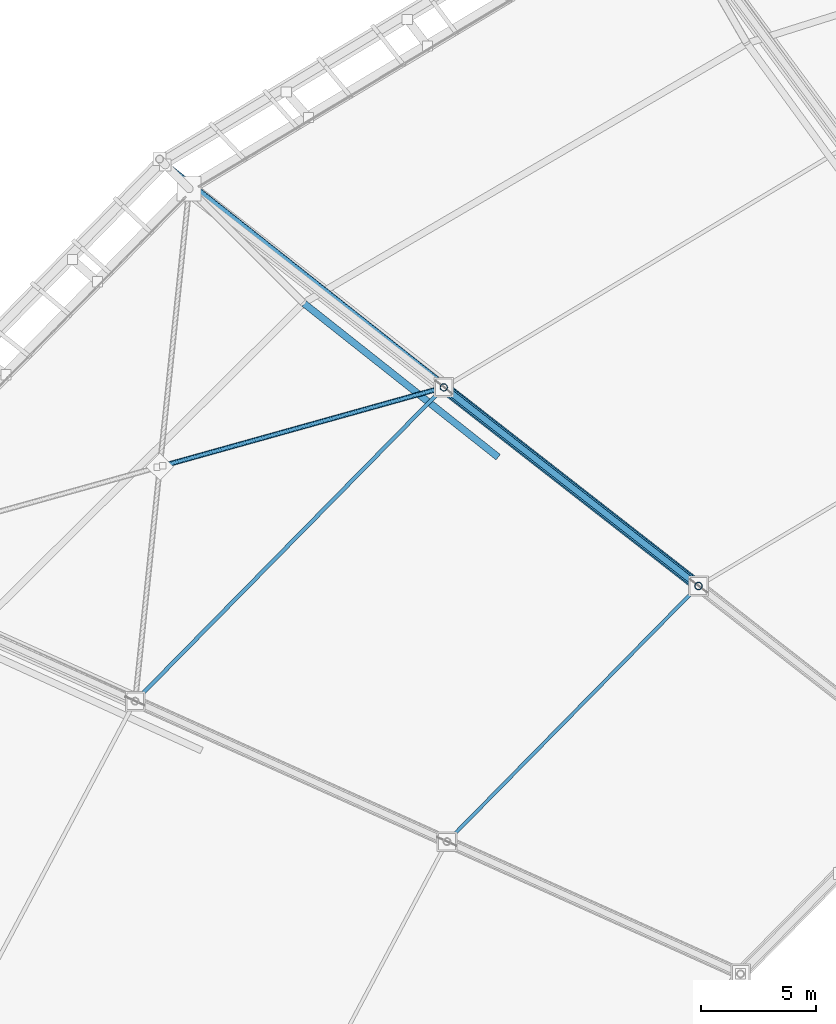
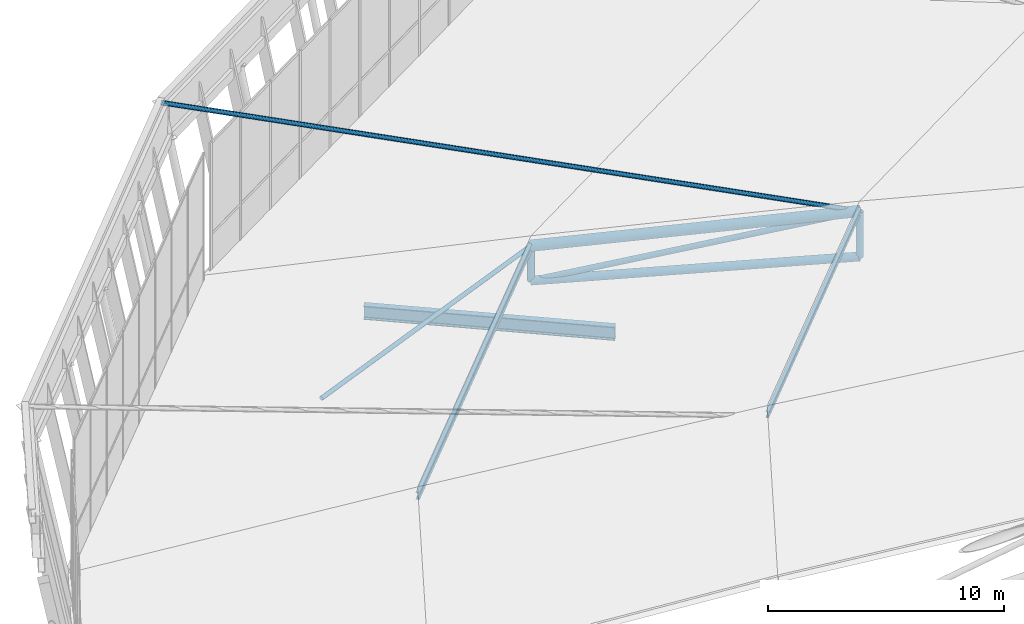
# One storey, part 31 of 115: 9 members, 1 beam.
"""IFC4 building model written with IfcOpenShell, lengths in metres."""

from ifc_helpers import new_model, si_unit, direction, frame, origin, origin_2d, place, context, subcontext, project, spatial, hollow_circle, i_section, extrude, material, material_profile, profile_set, type_object, element, save


model = new_model("IFC4")

# Units and contexts
model_context = context("Model", 3, precision=1e-05, world=origin(), true_north=direction((0.0, 1.0)))
body_context = subcontext(model_context, "Body", "Model", "MODEL_VIEW")
ifc_project = project(units=[si_unit("LENGTHUNIT", "METRE"), si_unit("AREAUNIT", "SQUARE_METRE"), si_unit("VOLUMEUNIT", "CUBIC_METRE"), si_unit("PLANEANGLEUNIT", "RADIAN"), si_unit("MASSUNIT", "GRAM", prefix="KILO")], contexts=[model_context])

# Site, building, storey
site_placement = place(None, origin())
site = spatial("IfcSite", under=ifc_project, at=site_placement, CompositionType="ELEMENT")
building_placement = place(site_placement, origin())
building = spatial("IfcBuilding", under=site, at=building_placement, Name="Zlatoyarsky Gate Stadium", CompositionType="ELEMENT")
storey_placement = place(building_placement, frame((0.0, 0.0, 31.800048828125)))
storey = spatial("IfcBuildingStorey", under=building, at=storey_placement, Name="RF", CompositionType="ELEMENT", Elevation=31.800048828125)

# Members
ifc_material = material(Name="Steel S355", Category="steel")
ifc_material_profile_1 = material_profile(ifc_material, hollow_circle(Radius=0.203125, WallThickness=0.02001953125, at=origin_2d()), Name="CHS 406.4X20")
ifc_profile_set_1 = profile_set([ifc_material_profile_1], Name="Steel S355")
member_type_1 = type_object("IfcMemberType", Name="STEEL ARCH INNER CHORD CHS 406.4X20", PredefinedType="CHORD", material=ifc_profile_set_1)
member_1_placement = place(storey_placement, frame((51.33203125, 126.544677734375, 1.349853515625), z_axis=(0.775280414707, -0.604760130163, 0.182223663495), x_axis=(0.61505798075, 0.788481883315, 0.0)))
element("IfcMember", 1, at=member_1_placement, inside=storey, type_object=member_type_1, Name="Radial truss R10 bottom chord 2", PredefinedType="CHORD", context=body_context, shape_type="SweptSolid", body=[
    extrude(hollow_circle(Radius=0.203125, WallThickness=0.02001953125, at=origin_2d()), origin(), (0.0, 0.0, 1.0), 14.268798828125),
])
ifc_material_profile_2 = material_profile(ifc_material, hollow_circle(Radius=0.25390625, WallThickness=0.02490234375, at=origin_2d()), Name="CHS 508X25")
ifc_profile_set_2 = profile_set([ifc_material_profile_2], Name="Steel S355")
member_type_2 = type_object("IfcMemberType", Name="STEEL ARCH TOP CHORD CHS 508X25", PredefinedType="CHORD", material=ifc_profile_set_2)
member_2_placement = place(storey_placement, frame((51.33203125, 126.544677734375, 3.14990234375), z_axis=(0.769327603611, -0.600116619576, 0.21907779721), x_axis=(0.61505798075, 0.788481883315, 0.0)))
element("IfcMember", 2, at=member_2_placement, inside=storey, type_object=member_type_2, Name="Radial truss R10 top chord 2", PredefinedType="CHORD", context=body_context, shape_type="SweptSolid", body=[
    extrude(hollow_circle(Radius=0.25390625, WallThickness=0.02490234375, at=origin_2d()), origin(), (0.0, 0.0, 1.0), 14.379150390625),
])
ifc_material_profile_3 = material_profile(ifc_material, i_section(OverallWidth=0.14990234375, OverallDepth=0.300048828125, WebThickness=0.007080078125, FlangeThickness=0.0107421875, FilletRadius=0.014892578125, at=origin_2d()), Name="IPE 300")
ifc_profile_set_3 = profile_set([ifc_material_profile_3], Name="Steel S355")
member_type_3 = type_object("IfcMemberType", Name="STEEL BOWL ROOF PURLIN IPE 300", PredefinedType="PURLIN", material=ifc_profile_set_3)
member_3_placement = place(storey_placement, frame((62.394287109375, 117.91552734375, 6.329833984375), z_axis=(-0.701268357543, -0.712897391431, 0.0), x_axis=(0.712897391431, -0.701268357543, 0.0)))
element("IfcMember", 3, at=member_3_placement, inside=storey, type_object=member_type_3, Name="Stadium roof purlin 09.2", PredefinedType="PURLIN", context=body_context, shape_type="SweptSolid", body=[
    extrude(i_section(OverallWidth=0.14990234375, OverallDepth=0.300048828125, WebThickness=0.007080078125, FlangeThickness=0.0107421875, FilletRadius=0.014892578125, at=origin_2d()), origin(), (0.0, 0.0, 1.0), 15.57763671875),
])
ifc_material_profile_4 = material_profile(ifc_material, hollow_circle(Radius=0.109619140625, WallThickness=0.012451171875, at=origin_2d()), Name="CHS 219.1X12.5")
ifc_profile_set_4 = profile_set([ifc_material_profile_4], Name="Steel S355")
member_type_4 = type_object("IfcMemberType", Name="STEEL CANOPY WIND BRACE CHS 219.1X12.5", PredefinedType="BRACE", material=ifc_profile_set_4)
member_4_placement = place(storey_placement, frame((38.9853515625, 136.45849609375, 8.849853515625), z_axis=(0.781026517162, -0.618676157728, -0.08507285906), x_axis=(0.620927184532, 0.783868248821, 0.0)))
element("IfcMember", 4, at=member_4_placement, inside=storey, type_object=member_type_4, Name="Crown fascia tie brace 09", PredefinedType="BRACE", context=body_context, shape_type="SweptSolid", body=[
    extrude(hollow_circle(Radius=0.109619140625, WallThickness=0.012451171875, at=origin_2d()), origin(), (0.0, 0.0, 1.0), 29.971923828125),
])
member_5_placement = place(storey_placement, frame((39.1201171875, 123.13330078125, 1.60986328125), z_axis=(0.956100252982, 0.267084942721, 0.120573378565), x_axis=(-0.269047803185, 0.963126824256, 0.0)))
element("IfcMember", 5, at=member_5_placement, inside=storey, type_object=member_type_4, Name="Roof wind X-brace split half-diagonal 09B", PredefinedType="BRACE", context=body_context, shape_type="SweptSolid", body=[
    extrude(hollow_circle(Radius=0.109619140625, WallThickness=0.012451171875, at=origin_2d()), origin(), (0.0, 0.0, 1.0), 12.772705078125),
])
ifc_material_profile_5 = material_profile(ifc_material, i_section(OverallWidth=0.169921875, OverallDepth=0.360107421875, WebThickness=0.008056640625, FlangeThickness=0.0126953125, FilletRadius=0.01806640625, at=origin_2d()), Name="IPE 360")
ifc_profile_set_5 = profile_set([ifc_material_profile_5], Name="Steel S355")
member_type_5 = type_object("IfcMemberType", Name="STEEL LONG SPAN PURLIN IPE 360", PredefinedType="PURLIN", material=ifc_profile_set_5)
member_6_placement = place(storey_placement, frame((51.33203125, 126.544677734375, 3.179931640625), z_axis=(-0.701267484698, -0.712898250037, 0.0), x_axis=(0.712898250037, -0.701267484698, 0.0)))
element("IfcMember", 6, at=member_6_placement, inside=storey, type_object=member_type_5, Name="Stadium roof purlin 09.1", PredefinedType="PURLIN", context=body_context, shape_type="SweptSolid", body=[
    extrude(i_section(OverallWidth=0.169921875, OverallDepth=0.360107421875, WebThickness=0.008056640625, FlangeThickness=0.0126953125, FilletRadius=0.01806640625, at=origin_2d()), origin(), (0.0, 0.0, 1.0), 19.122802734375),
])

# Beam
ifc_material_profile_6 = material_profile(ifc_material, i_section(OverallWidth=0.300048828125, OverallDepth=0.699951171875, WebThickness=0.01708984375, FlangeThickness=0.031982421875, FilletRadius=0.027099609375, at=origin_2d()), Name="HEB 700")
ifc_profile_set_6 = profile_set([ifc_material_profile_6], Name="Steel S355")
beam_type = type_object("IfcBeamType", Name="STEEL ROOF RING GIRDER HEB 700", PredefinedType="BEAM", material=ifc_profile_set_6)
beam_placement = place(storey_placement, frame((53.693115234375, 123.511962890625, -0.300048828125), z_axis=(-0.784053658736, 0.620693048312, 0.0), x_axis=(-0.620693048312, -0.784053658736, 0.0)))
element("IfcBeam", 7, at=beam_placement, inside=storey, type_object=beam_type, Name="RF roof tie girder BM-RF-RBC-09", PredefinedType="BEAM", context=body_context, shape_type="SweptSolid", body=[
    extrude(i_section(OverallWidth=0.300048828125, OverallDepth=0.699951171875, WebThickness=0.01708984375, FlangeThickness=0.031982421875, FilletRadius=0.027099609375, at=origin_2d()), origin(), (0.0, 0.0, 1.0), 10.742431640625),
])

# Members
ifc_material_profile_7 = material_profile(ifc_material, hollow_circle(Radius=0.136474609375, WallThickness=0.01611328125, at=origin_2d()), Name="CHS 273X16")
ifc_profile_set_7 = profile_set([ifc_material_profile_7], Name="Steel S355")
member_type_6 = type_object("IfcMemberType", Name="STEEL ROOF TRUSS DIAGONAL CHS 273X16", PredefinedType="BRACE", material=ifc_profile_set_7)
member_7_placement = place(storey_placement, frame((51.33203125, 126.544677734375, 1.349853515625), z_axis=(0.743555815667, -0.580013248543, 0.332730191752), x_axis=(0.61505798075, 0.788481883315, 0.0)))
element("IfcMember", 8, at=member_7_placement, inside=storey, type_object=member_type_6, Name="Radial truss R10 web diagonal 2", PredefinedType="BRACE", context=body_context, shape_type="SweptSolid", body=[
    extrude(hollow_circle(Radius=0.136474609375, WallThickness=0.01611328125, at=origin_2d()), origin(), (0.0, 0.0, 1.0), 14.87744140625),
])
ifc_material_profile_8 = material_profile(ifc_material, hollow_circle(Radius=0.161865234375, WallThickness=0.01611328125, at=origin_2d()), Name="CHS 323.9X16")
ifc_profile_set_8 = profile_set([ifc_material_profile_8], Name="Steel S355")
member_type_7 = type_object("IfcMemberType", Name="STEEL TRUSS WEB STRUT CHS 323.9X16", PredefinedType="STRUT", material=ifc_profile_set_8)
member_8_placement = place(storey_placement, frame((51.33203125, 126.544677734375, 1.349853515625), z_axis=(0.0, 0.0, 1.0), x_axis=(1.0, 0.0, 0.0)))
element("IfcMember", 9, at=member_8_placement, inside=storey, type_object=member_type_7, Name="Radial truss R10 web strut 1", PredefinedType="STRUT", context=body_context, shape_type="SweptSolid", body=[
    extrude(hollow_circle(Radius=0.161865234375, WallThickness=0.01611328125, at=origin_2d()), origin(), (0.0, 0.0, 1.0), 1.800048828125),
])
member_9_placement = place(storey_placement, frame((62.394287109375, 117.91552734375, 3.949951171875), z_axis=(0.0, 0.0, 1.0), x_axis=(1.0, 0.0, 0.0)))
element("IfcMember", 10, at=member_9_placement, inside=storey, type_object=member_type_7, Name="Radial truss R10 web strut 2", PredefinedType="STRUT", context=body_context, shape_type="SweptSolid", body=[
    extrude(hollow_circle(Radius=0.161865234375, WallThickness=0.01611328125, at=origin_2d()), origin(), (0.0, 0.0, 1.0), 2.35009765625),
])

save(model, "model.ifc")
